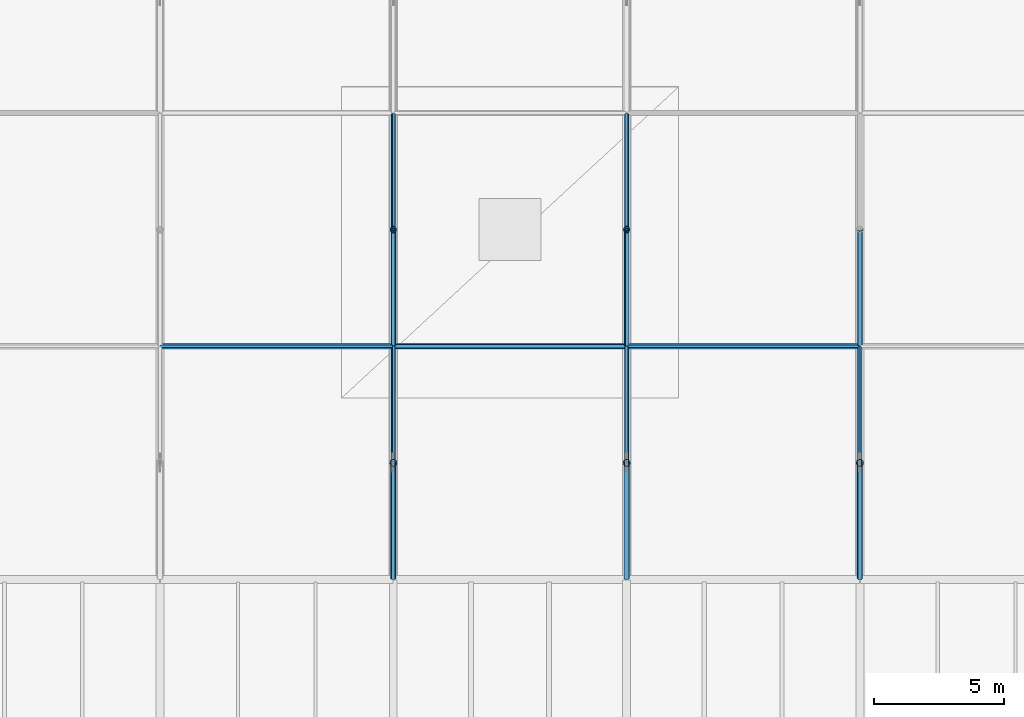
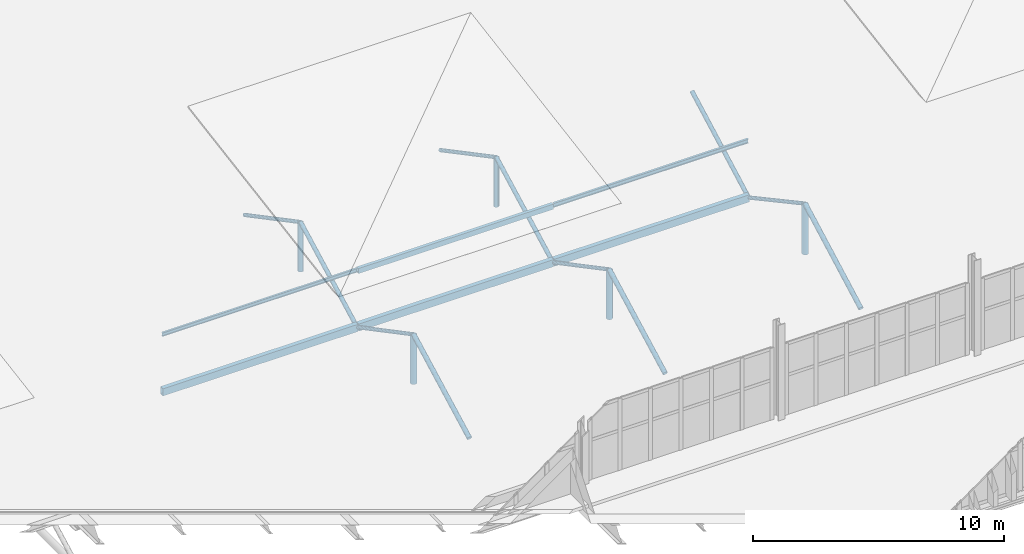
# One storey, part 72 of 196: 22 members.
"""IFC4 building model written with IfcOpenShell, lengths in metres."""

from ifc_helpers import new_model, si_unit, direction, frame, origin, origin_2d, place, context, subcontext, project, spatial, hollow_rectangle, hollow_circle, i_section, extrude, material, material_profile, profile_set, type_object, element, save


model = new_model("IFC4")

# Units and contexts
model_context = context("Model", 3, precision=1e-05, world=origin(), true_north=direction((0.0, 1.0)))
body_context = subcontext(model_context, "Body", "Model", "MODEL_VIEW")
ifc_project = project(units=[si_unit("LENGTHUNIT", "METRE"), si_unit("AREAUNIT", "SQUARE_METRE"), si_unit("VOLUMEUNIT", "CUBIC_METRE"), si_unit("PLANEANGLEUNIT", "RADIAN"), si_unit("MASSUNIT", "GRAM", prefix="KILO")], contexts=[model_context])

# Site, building, storey
site_placement = place(None, origin())
site = spatial("IfcSite", under=ifc_project, at=site_placement, CompositionType="ELEMENT")
building_placement = place(site_placement, origin())
building = spatial("IfcBuilding", under=site, at=building_placement, Name="Barlavento Convention Centre", CompositionType="ELEMENT")
storey_placement = place(building_placement, frame((0.0, 0.0, 18.0)))
storey = spatial("IfcBuildingStorey", under=building, at=storey_placement, Name="L03", CompositionType="ELEMENT", Elevation=18.0)

# Members
ifc_material = material(Name="Steel S355", Category="steel")
ifc_material_profile_1 = material_profile(ifc_material, hollow_rectangle(XDim=0.199951171875, YDim=0.35009765625, WallThickness=0.012451171875, at=origin_2d()), Name="RHS 350x200x12.5")
ifc_profile_set_1 = profile_set([ifc_material_profile_1], Name="Steel S355")
member_type_1 = type_object("IfcMemberType", Name="STR-MEM-COL-RHS350", PredefinedType="COLLAR", material=ifc_profile_set_1)
for number, where, z_axis, x_axis, name in (
    (1, (63.02001953125, 72.0, -3.199951171875), (1.0, 0.0, 0.0), (0.0, 1.0, 0.0), "Exhibition space frame transverse chord"),
    (2, (72.02001953125, 72.0, -3.199951171875), (1.0, 0.0, 0.0), (0.0, 1.0, 0.0), "Exhibition space frame transverse chord"),
    (3, (81.02001953125, 72.0, -3.199951171875), (1.0, 0.0, 0.0), (0.0, 1.0, 0.0), "Exhibition space frame transverse chord"),
):
    element("IfcMember", number, at=place(storey_placement, frame(where, z_axis=z_axis, x_axis=x_axis)), inside=storey, type_object=member_type_1, Name=name, PredefinedType="COLLAR", context=body_context, shape_type="SweptSolid", body=[
        extrude(hollow_rectangle(XDim=0.199951171875, YDim=0.35009765625, WallThickness=0.012451171875, at=origin_2d()), origin(), (0.0, 0.0, 1.0), 8.9599609375),
    ])
ifc_material_profile_2 = material_profile(ifc_material, hollow_circle(Radius=0.084228515625, WallThickness=0.010009765625, at=origin_2d()), Name="CHS 168.3x10.0")
ifc_profile_set_2 = profile_set([ifc_material_profile_2], Name="Steel S355")
member_type_2 = type_object("IfcMemberType", Name="STR-MEM-DIAG-CHS168", PredefinedType="POST", material=ifc_profile_set_2)
for number, where, z_axis, x_axis, name in (
    (4, (72.0, 67.5, -0.84912109375), (0.0, 0.884200566707, -0.467107437144), (-1.0, 0.0, 0.0), "Exhibition space frame web diagonal"),
    (5, (72.0, 76.5, -0.84912109375), (0.0, 0.884200566707, -0.467107437144), (-1.0, 0.0, 0.0), "Exhibition space frame web diagonal"),
):
    element("IfcMember", number, at=place(storey_placement, frame(where, z_axis=z_axis, x_axis=x_axis)), inside=storey, type_object=member_type_2, Name=name, PredefinedType="POST", context=body_context, shape_type="SweptSolid", body=[
        extrude(hollow_circle(Radius=0.084228515625, WallThickness=0.010009765625, at=origin_2d()), origin(), (0.0, 0.0, 1.0), 5.03271484375),
    ])
for number, where, z_axis, x_axis, name in (
    (6, (81.0, 67.5, -0.844970703125), (0.0, 0.883859857229, -0.467751806816), (-1.0, 0.0, 0.0), "Exhibition space frame web diagonal"),
    (7, (81.0, 76.5, -0.844970703125), (0.0, 0.883859857229, -0.467751806816), (-1.0, 0.0, 0.0), "Exhibition space frame web diagonal"),
):
    element("IfcMember", number, at=place(storey_placement, frame(where, z_axis=z_axis, x_axis=x_axis)), inside=storey, type_object=member_type_2, Name=name, PredefinedType="POST", context=body_context, shape_type="SweptSolid", body=[
        extrude(hollow_circle(Radius=0.084228515625, WallThickness=0.010009765625, at=origin_2d()), origin(), (0.0, 0.0, 1.0), 5.03466796875),
    ])
member_1_placement = place(storey_placement, frame((90.0, 67.5, -0.794921875), z_axis=(0.0, 0.879735433057, -0.475463529437), x_axis=(-1.0, 0.0, 0.0)))
element("IfcMember", 8, at=member_1_placement, inside=storey, type_object=member_type_2, Name="Exhibition space frame web diagonal", PredefinedType="POST", context=body_context, shape_type="SweptSolid", body=[
    extrude(hollow_circle(Radius=0.084228515625, WallThickness=0.010009765625, at=origin_2d()), origin(), (0.0, 0.0, 1.0), 5.058349609375),
])
ifc_material_profile_3 = material_profile(ifc_material, hollow_circle(Radius=0.096923828125, WallThickness=0.010009765625, at=origin_2d()), Name="CHS 193.7x10.0")
ifc_profile_set_3 = profile_set([ifc_material_profile_3], Name="Steel S355")
member_type_3 = type_object("IfcMemberType", Name="STR-MEM-DIAG-CHS193", PredefinedType="RAFTER", material=ifc_profile_set_3)
member_2_placement = place(storey_placement, frame((72.0, 72.050048828125, -3.199951171875), z_axis=(0.0, 0.884200566707, 0.467107437144), x_axis=(-1.0, 0.0, 0.0)))
element("IfcMember", 9, at=member_2_placement, inside=storey, type_object=member_type_3, Name="Exhibition space frame web diagonal", PredefinedType="RAFTER", context=body_context, shape_type="SweptSolid", body=[
    extrude(hollow_circle(Radius=0.096923828125, WallThickness=0.010009765625, at=origin_2d()), origin(), (0.0, 0.0, 1.0), 5.03271484375),
])
member_3_placement = place(storey_placement, frame((81.0, 72.050048828125, -3.199951171875), z_axis=(0.0, 0.883859857229, 0.467751806816), x_axis=(-1.0, 0.0, 0.0)))
element("IfcMember", 10, at=member_3_placement, inside=storey, type_object=member_type_3, Name="Exhibition space frame web diagonal", PredefinedType="RAFTER", context=body_context, shape_type="SweptSolid", body=[
    extrude(hollow_circle(Radius=0.096923828125, WallThickness=0.010009765625, at=origin_2d()), origin(), (0.0, 0.0, 1.0), 5.03466796875),
])
member_4_placement = place(storey_placement, frame((90.0, 72.050048828125, -3.199951171875), z_axis=(0.0, 0.879735433057, 0.475463529437), x_axis=(-1.0, 0.0, 0.0)))
element("IfcMember", 11, at=member_4_placement, inside=storey, type_object=member_type_3, Name="Exhibition space frame web diagonal", PredefinedType="RAFTER", context=body_context, shape_type="SweptSolid", body=[
    extrude(hollow_circle(Radius=0.096923828125, WallThickness=0.010009765625, at=origin_2d()), origin(), (0.0, 0.0, 1.0), 5.058349609375),
])
ifc_material_profile_4 = material_profile(ifc_material, hollow_circle(Radius=0.109619140625, WallThickness=0.012451171875, at=origin_2d()), Name="CHS 219.1x12.5")
ifc_profile_set_4 = profile_set([ifc_material_profile_4], Name="Steel S355")
member_type_4 = type_object("IfcMemberType", Name="STR-MEM-DIAG-CHS219", PredefinedType="RAFTER", material=ifc_profile_set_4)
member_5_placement = place(storey_placement, frame((72.0, 63.050048828125, -3.199951171875), z_axis=(0.0, 0.884200566707, 0.467107437144), x_axis=(-1.0, 0.0, 0.0)))
element("IfcMember", 12, at=member_5_placement, inside=storey, type_object=member_type_4, Name="Exhibition space frame web diagonal", PredefinedType="RAFTER", context=body_context, shape_type="SweptSolid", body=[
    extrude(hollow_circle(Radius=0.109619140625, WallThickness=0.012451171875, at=origin_2d()), origin(), (0.0, 0.0, 1.0), 5.03271484375),
])
member_6_placement = place(storey_placement, frame((81.0, 63.050048828125, -3.199951171875), z_axis=(0.0, 0.883859857229, 0.467751806816), x_axis=(-1.0, 0.0, 0.0)))
element("IfcMember", 13, at=member_6_placement, inside=storey, type_object=member_type_4, Name="Exhibition space frame web diagonal", PredefinedType="RAFTER", context=body_context, shape_type="SweptSolid", body=[
    extrude(hollow_circle(Radius=0.109619140625, WallThickness=0.012451171875, at=origin_2d()), origin(), (0.0, 0.0, 1.0), 5.03466796875),
])
member_7_placement = place(storey_placement, frame((90.0, 63.050048828125, -3.199951171875), z_axis=(0.0, 0.879735433057, 0.475463529437), x_axis=(-1.0, 0.0, 0.0)))
element("IfcMember", 14, at=member_7_placement, inside=storey, type_object=member_type_4, Name="Exhibition space frame web diagonal", PredefinedType="RAFTER", context=body_context, shape_type="SweptSolid", body=[
    extrude(hollow_circle(Radius=0.109619140625, WallThickness=0.012451171875, at=origin_2d()), origin(), (0.0, 0.0, 1.0), 5.058349609375),
])
ifc_material_profile_5 = material_profile(ifc_material, i_section(OverallWidth=0.091064453125, OverallDepth=0.179931640625, WebThickness=0.00537109375, FlangeThickness=0.008056640625, FilletRadius=0.009033203125, at=origin_2d()), Name="IPE 180")
ifc_profile_set_5 = profile_set([ifc_material_profile_5], Name="Steel S355")
member_type_5 = type_object("IfcMemberType", Name="STR-MEM-PUR-IPE180", PredefinedType="PURLIN", material=ifc_profile_set_5)
member_8_placement = place(storey_placement, frame((63.02001953125, 72.0, -0.43505859375), z_axis=(1.0, 0.0, 0.0), x_axis=(0.0, 1.0, 0.0)))
element("IfcMember", 15, at=member_8_placement, inside=storey, type_object=member_type_5, Name="Exhibition roof purlin", PredefinedType="PURLIN", context=body_context, shape_type="SweptSolid", body=[
    extrude(i_section(OverallWidth=0.091064453125, OverallDepth=0.179931640625, WebThickness=0.00537109375, FlangeThickness=0.008056640625, FilletRadius=0.009033203125, at=origin_2d()), origin(), (0.0, 0.0, 1.0), 8.9599609375),
])
ifc_material_profile_6 = material_profile(ifc_material, i_section(OverallWidth=0.10009765625, OverallDepth=0.199951171875, WebThickness=0.005615234375, FlangeThickness=0.008544921875, FilletRadius=0.011962890625, at=origin_2d()), Name="IPE 200")
ifc_profile_set_6 = profile_set([ifc_material_profile_6], Name="Steel S355")
member_type_6 = type_object("IfcMemberType", Name="STR-MEM-PUR-IPE200", PredefinedType="PURLIN", material=ifc_profile_set_6)
member_9_placement = place(storey_placement, frame((81.02001953125, 72.0, -0.445068359375), z_axis=(1.0, 0.0, 0.0), x_axis=(0.0, 1.0, 0.0)))
element("IfcMember", 16, at=member_9_placement, inside=storey, type_object=member_type_6, Name="Exhibition roof purlin", PredefinedType="PURLIN", context=body_context, shape_type="SweptSolid", body=[
    extrude(i_section(OverallWidth=0.10009765625, OverallDepth=0.199951171875, WebThickness=0.005615234375, FlangeThickness=0.008544921875, FilletRadius=0.011962890625, at=origin_2d()), origin(), (0.0, 0.0, 1.0), 8.9599609375),
])
ifc_material_profile_7 = material_profile(ifc_material, hollow_rectangle(XDim=0.14990234375, YDim=0.25, WallThickness=0.010009765625, at=origin_2d()), Name="RHS 250x150x10.0")
ifc_profile_set_7 = profile_set([ifc_material_profile_7], Name="Steel S355")
member_type_7 = type_object("IfcMemberType", Name="STR-MEM-PUR-RHS250", PredefinedType="PURLIN", material=ifc_profile_set_7)
member_10_placement = place(storey_placement, frame((72.02001953125, 72.0, -0.469970703125), z_axis=(1.0, 0.0, 0.0), x_axis=(0.0, 1.0, 0.0)))
element("IfcMember", 17, at=member_10_placement, inside=storey, type_object=member_type_7, Name="Exhibition roof purlin", PredefinedType="PURLIN", context=body_context, shape_type="SweptSolid", body=[
    extrude(hollow_rectangle(XDim=0.14990234375, YDim=0.25, WallThickness=0.010009765625, at=origin_2d()), origin(), (0.0, 0.0, 1.0), 8.9599609375),
])
ifc_material_profile_8 = material_profile(ifc_material, hollow_circle(Radius=0.122314453125, WallThickness=0.012451171875, at=origin_2d()), Name="CHS 244.5x12.5")
ifc_profile_set_8 = profile_set([ifc_material_profile_8], Name="Steel S355")
member_type_8 = type_object("IfcMemberType", Name="STR-MEM-STRUT-CHS244", PredefinedType="STRUT", material=ifc_profile_set_8)
member_11_placement = place(storey_placement, frame((72.0, 76.5, -3.199951171875), z_axis=(0.0, 0.0, 1.0), x_axis=(1.0, 0.0, 0.0)))
element("IfcMember", 18, at=member_11_placement, inside=storey, type_object=member_type_8, Name="Exhibition space frame vertical strut", PredefinedType="STRUT", context=body_context, shape_type="SweptSolid", body=[
    extrude(hollow_circle(Radius=0.122314453125, WallThickness=0.012451171875, at=origin_2d()), origin(), (0.0, 0.0, 1.0), 2.350830078125),
])
member_12_placement = place(storey_placement, frame((81.0, 76.5, -3.199951171875), z_axis=(0.0, 0.0, 1.0), x_axis=(1.0, 0.0, 0.0)))
element("IfcMember", 19, at=member_12_placement, inside=storey, type_object=member_type_8, Name="Exhibition space frame vertical strut", PredefinedType="STRUT", context=body_context, shape_type="SweptSolid", body=[
    extrude(hollow_circle(Radius=0.122314453125, WallThickness=0.012451171875, at=origin_2d()), origin(), (0.0, 0.0, 1.0), 2.35498046875),
])
ifc_material_profile_9 = material_profile(ifc_material, hollow_circle(Radius=0.136474609375, WallThickness=0.012451171875, at=origin_2d()), Name="CHS 273.0x12.5")
ifc_profile_set_9 = profile_set([ifc_material_profile_9], Name="Steel S355")
member_type_9 = type_object("IfcMemberType", Name="STR-MEM-STRUT-CHS273", PredefinedType="STRUT", material=ifc_profile_set_9)
member_13_placement = place(storey_placement, frame((72.0, 67.5, -3.199951171875), z_axis=(0.0, 0.0, 1.0), x_axis=(1.0, 0.0, 0.0)))
element("IfcMember", 20, at=member_13_placement, inside=storey, type_object=member_type_9, Name="Exhibition space frame vertical strut", PredefinedType="STRUT", context=body_context, shape_type="SweptSolid", body=[
    extrude(hollow_circle(Radius=0.136474609375, WallThickness=0.012451171875, at=origin_2d()), origin(), (0.0, 0.0, 1.0), 2.350830078125),
])
member_14_placement = place(storey_placement, frame((81.0, 67.5, -3.199951171875), z_axis=(0.0, 0.0, 1.0), x_axis=(1.0, 0.0, 0.0)))
element("IfcMember", 21, at=member_14_placement, inside=storey, type_object=member_type_9, Name="Exhibition space frame vertical strut", PredefinedType="STRUT", context=body_context, shape_type="SweptSolid", body=[
    extrude(hollow_circle(Radius=0.136474609375, WallThickness=0.012451171875, at=origin_2d()), origin(), (0.0, 0.0, 1.0), 2.35498046875),
])
member_15_placement = place(storey_placement, frame((90.0, 67.5, -3.199951171875), z_axis=(0.0, 0.0, 1.0), x_axis=(1.0, 0.0, 0.0)))
element("IfcMember", 22, at=member_15_placement, inside=storey, type_object=member_type_9, Name="Exhibition space frame vertical strut", PredefinedType="STRUT", context=body_context, shape_type="SweptSolid", body=[
    extrude(hollow_circle(Radius=0.136474609375, WallThickness=0.012451171875, at=origin_2d()), origin(), (0.0, 0.0, 1.0), 2.405029296875),
])

save(model, "model.ifc")
